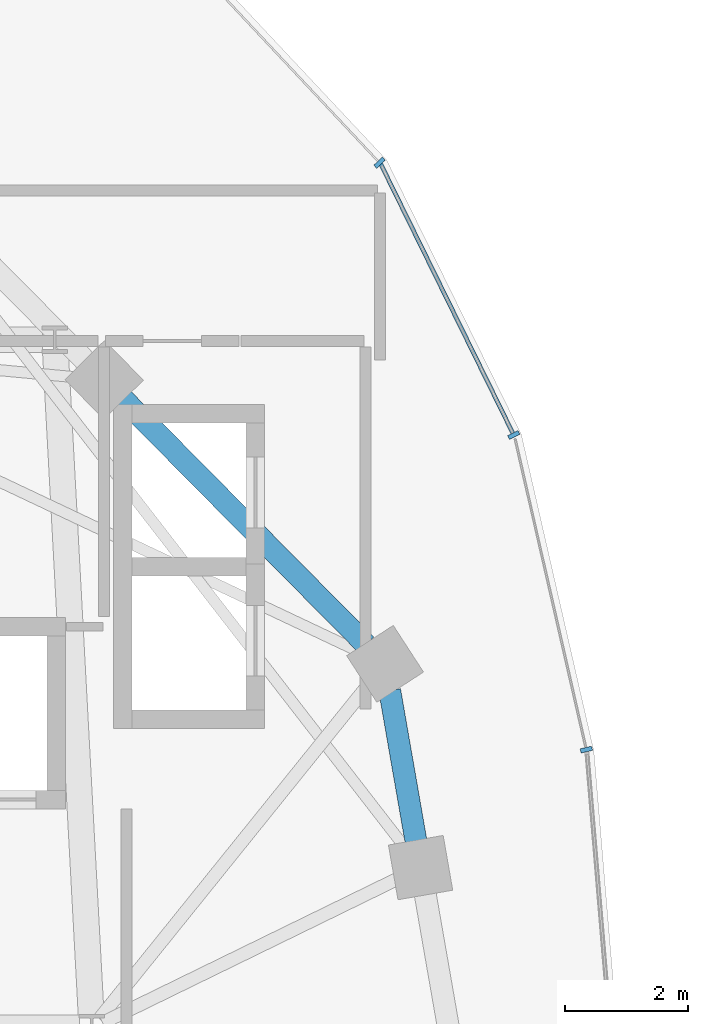
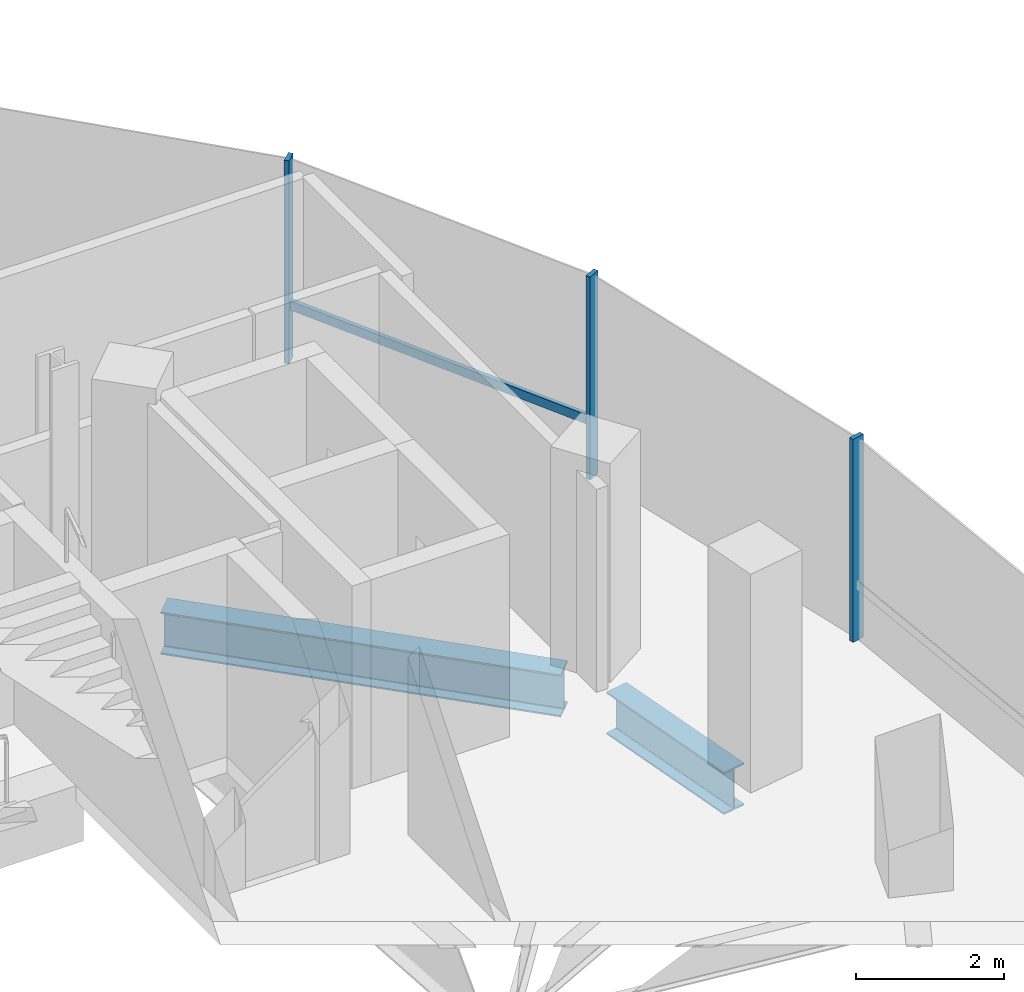
# One storey, part 7 of 25: 4 members, 2 beams, 1 element without a shape of its own.
"""IFC4 building model written with IfcOpenShell, lengths in metres."""

from ifc_helpers import new_model, si_unit, direction, frame, origin, origin_2d, place, context, subcontext, project, spatial, rectangle, i_section, extrude, material, material_profile, profile_set, type_object, element, aggregate, save


model = new_model("IFC4")

# Units and contexts
model_context = context("Model", 3, precision=1e-05, world=origin(), true_north=direction((0.0, 1.0)))
body_context = subcontext(model_context, "Body", "Model", "MODEL_VIEW")
ifc_project = project(units=[si_unit("LENGTHUNIT", "METRE"), si_unit("AREAUNIT", "SQUARE_METRE"), si_unit("VOLUMEUNIT", "CUBIC_METRE"), si_unit("PLANEANGLEUNIT", "RADIAN"), si_unit("MASSUNIT", "GRAM", prefix="KILO"), si_unit("THERMODYNAMICTEMPERATUREUNIT", "KELVIN"), si_unit("POWERUNIT", "WATT")], contexts=[model_context])

# Site, building, storey
site_placement = place(None, origin())
site = spatial("IfcSite", under=ifc_project, at=site_placement, CompositionType="ELEMENT")
building_placement = place(site_placement, origin())
building = spatial("IfcBuilding", under=site, at=building_placement, Name="Cundina Bronze Exchange", CompositionType="ELEMENT")
storey_placement = place(building_placement, frame((0.0, 0.0, 224.199951171875)))
storey = spatial("IfcBuildingStorey", under=building, at=storey_placement, Name="L59", CompositionType="ELEMENT", Elevation=224.199951171875)

# Beams
ifc_material_1 = material(Name="Steel ASTM A992 Grade 50", Category="steel")
ifc_material_profile_1 = material_profile(ifc_material_1, i_section(OverallWidth=0.35498046875, OverallDepth=0.695068359375, WebThickness=0.015380859375, FlangeThickness=0.02490234375, FilletRadius=0.01806640625, at=origin_2d()), Name="W27X146", Category="steel")
ifc_profile_set_1 = profile_set([ifc_material_profile_1], Name="Steel ASTM A992 Grade 50")
beam_type = type_object("IfcBeamType", Name="BM-RING-W27", PredefinedType="USERDEFINED", material=ifc_profile_set_1)
beam_1_placement = place(storey_placement, frame((-16.2001953125, 6.931396484375, -0.607421875), z_axis=(-0.171628556628, 0.985161732179, 0.0), x_axis=(-0.985161732179, -0.171628556628, 0.0)))
element("IfcBeam", 1, at=beam_1_placement, inside=storey, type_object=beam_type, Name="L59 W Perimeter Ring Girder 01", ObjectType="GIRDER", PredefinedType="USERDEFINED", context=body_context, shape_type="SweptSolid", body=[
    extrude(i_section(OverallWidth=0.35498046875, OverallDepth=0.695068359375, WebThickness=0.015380859375, FlangeThickness=0.02490234375, FilletRadius=0.01806640625, at=origin_2d()), origin(), (0.0, 0.0, 1.0), 2.4736328125),
])
beam_2_placement = place(storey_placement, frame((-17.008056640625, 10.111328125, -0.607421875), z_axis=(-0.703211928763, 0.710980297368, 0.0), x_axis=(-0.710980297368, -0.703211928763, 0.0)))
element("IfcBeam", 2, at=beam_2_placement, inside=storey, type_object=beam_type, Name="L59 W Perimeter Ring Girder 02", ObjectType="GIRDER", PredefinedType="USERDEFINED", context=body_context, shape_type="SweptSolid", body=[
    extrude(i_section(OverallWidth=0.35498046875, OverallDepth=0.695068359375, WebThickness=0.015380859375, FlangeThickness=0.02490234375, FilletRadius=0.01806640625, at=origin_2d()), origin(), (0.0, 0.0, 1.0), 5.593994140625),
])

# Curtain wall, members
ifc_material_2 = material(Name="Anodised Bronze Aluminium 6063-T6", Category="aluminium")
curtain_wall_type = type_object("IfcCurtainWallType", Name="CWS-UPP-OFF", PredefinedType="NOTDEFINED", material=ifc_material_2)
curtain_wall_placement = place(storey_placement, origin())
curtain_wall = element("IfcCurtainWall", 3, at=curtain_wall_placement, inside=storey, type_object=curtain_wall_type, Name="L59 CW-05 Curtain Wall Run CWR-L59-W1", PredefinedType="NOTDEFINED")
ifc_material_profile_2 = material_profile(ifc_material_2, rectangle(XDim=0.070068359375, YDim=0.18994140625, at=origin_2d()), Name="AL70X190", Category="aluminium")
ifc_profile_set_2 = profile_set([ifc_material_profile_2], Name="Anodised Bronze Aluminium 6063-T6")
member_type_1 = type_object("IfcMemberType", Name="CWM-MUL-190", PredefinedType="MULLION", material=ifc_profile_set_2)
member_1_placement = place(storey_placement, frame((-13.43994140625, 8.4111328125, 0.0), z_axis=(0.0, 0.0, 1.0), x_axis=(-0.223250116011, 0.974761194191, 0.0)))
member_1 = element("IfcMember", 4, at=member_1_placement, type_object=member_type_1, Name="CW-05 Mullion 2", PredefinedType="MULLION", context=body_context, shape_type="SweptSolid", body=[
    extrude(rectangle(XDim=0.070068359375, YDim=0.18994140625, at=origin_2d()), origin(), (0.0, 0.0, 1.0), 3.340087890625),
])
member_2_placement = place(storey_placement, frame((-14.61572265625, 13.50732421875, 0.0), z_axis=(0.0, 0.0, 1.0), x_axis=(-0.440566004113, 0.897720221461, 0.0)))
member_2 = element("IfcMember", 5, at=member_2_placement, type_object=member_type_1, Name="CW-05 Mullion 3", PredefinedType="MULLION", context=body_context, shape_type="SweptSolid", body=[
    extrude(rectangle(XDim=0.070068359375, YDim=0.18994140625, at=origin_2d()), origin(), (0.0, 0.0, 1.0), 3.340087890625),
])
member_3_placement = place(storey_placement, frame((-16.790283203125, 17.91796875, 0.0), z_axis=(0.0, 0.0, 1.0), x_axis=(-0.684292606175, 0.729207535023, 0.0)))
member_3 = element("IfcMember", 6, at=member_3_placement, type_object=member_type_1, Name="CW-05 Mullion 4", PredefinedType="MULLION", context=body_context, shape_type="SweptSolid", body=[
    extrude(rectangle(XDim=0.070068359375, YDim=0.18994140625, at=origin_2d()), origin(), (0.0, 0.0, 1.0), 3.340087890625),
])
ifc_material_profile_3 = material_profile(ifc_material_2, rectangle(XDim=0.06494140625, YDim=0.14990234375, at=origin_2d()), Name="AL65X150", Category="aluminium")
ifc_profile_set_3 = profile_set([ifc_material_profile_3], Name="Anodised Bronze Aluminium 6063-T6")
member_type_2 = type_object("IfcMemberType", Name="CWM-TRN-150", PredefinedType="USERDEFINED", material=ifc_profile_set_3)
member_4_placement = place(storey_placement, frame((-14.6328125, 13.5419921875, 0.920166015625), z_axis=(-0.440483110889, 0.897760897467, 0.0), x_axis=(-0.897760897467, -0.440483110889, 0.0)))
member_4 = element("IfcMember", 7, at=member_4_placement, type_object=member_type_2, Name="CW-05 Spandrel Transom 3", ObjectType="TRANSOM", PredefinedType="USERDEFINED", context=body_context, shape_type="SweptSolid", body=[
    extrude(rectangle(XDim=0.06494140625, YDim=0.14990234375, at=origin_2d()), origin(), (0.0, 0.0, 1.0), 4.855224609375),
])
aggregate(curtain_wall, [member_1, member_2, member_4, member_3])

save(model, "model.ifc")
